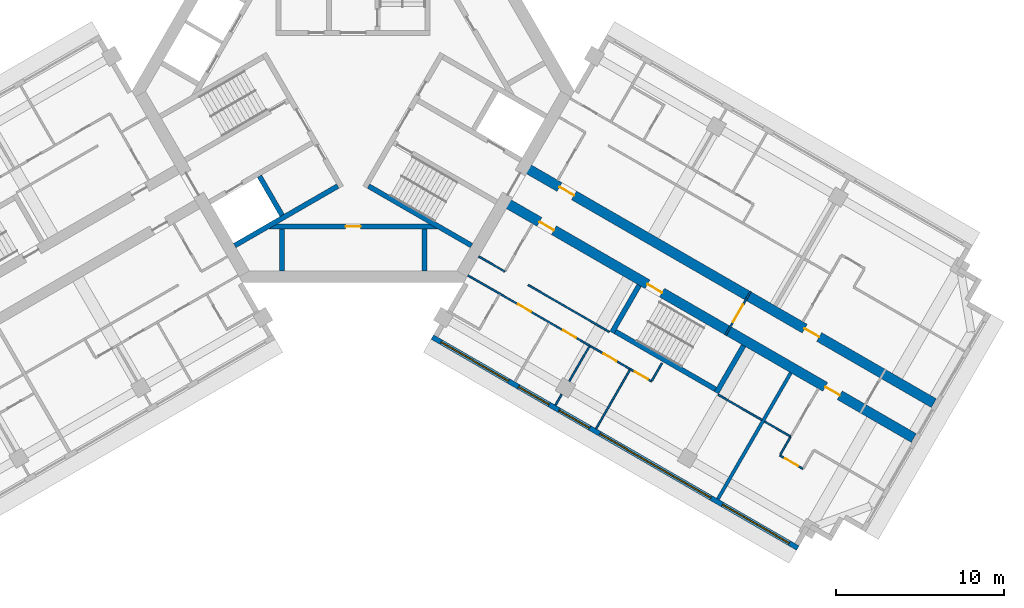
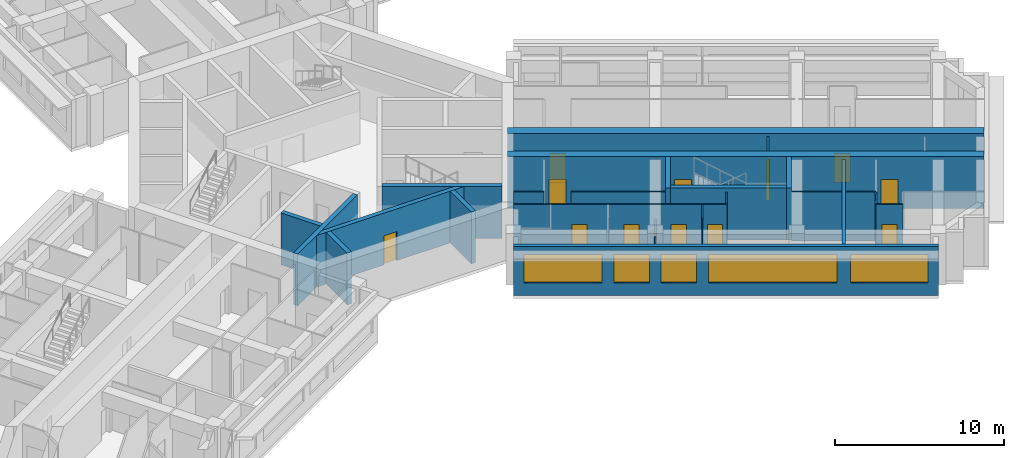
# One storey, part 5 of 11: 25 walls, 12 doors, 5 windows, 17 openings.
"""IFC4 building model written with IfcOpenShell, lengths in metres."""

import ifcopenshell
import ifcopenshell.guid

model = None  # the IFC model being written
_history = None  # IfcOwnerHistory: only IFC2X3 demands one
_inside = {}  # id of a spatial element -> (the spatial element, [elements in it])
_under = {}  # id of a project, library or spatial element -> (it, [spatial elements below it])
_declared = {}  # id of a project -> (the project, [libraries it declares])
_typed = {}  # id of a type object -> (the type object, [elements of that type])
_made_of = {}  # id of a material, layer set ... -> (it, [elements and type objects made of it])


def new_model(schema):
    """Start an empty IFC model of exactly this schema.

    Asked for "IFC4X3", IfcOpenShell would pick the latest addendum, in which some entities
    have other attributes; the version numbers below select the first issue.
    IFC2X3 requires an IfcOwnerHistory on every rooted entity: one is made here for all.
    """
    global model, _history
    if schema == "IFC4X3":
        model = ifcopenshell.file(schema_version=(4, 3, 0, 0))
    else:
        model = ifcopenshell.file(schema=schema)
    _inside.clear()
    _under.clear()
    _declared.clear()
    _typed.clear()
    _made_of.clear()
    _history = None
    if model.schema == "IFC2X3":
        org = make("IfcOrganization", Name="unknown")
        user = make(
            "IfcPersonAndOrganization",
            ThePerson=make("IfcPerson", FamilyName="unknown"),
            TheOrganization=org,
        )
        app = make(
            "IfcApplication",
            ApplicationDeveloper=org,
            Version="unknown",
            ApplicationFullName="unknown",
            ApplicationIdentifier="unknown",
        )
        _history = make(
            "IfcOwnerHistory",
            OwningUser=user,
            OwningApplication=app,
            ChangeAction="ADDED",
            CreationDate=0,
        )
    return model


def make(cls, **values):
    """One entity of the class cls with the attributes given. An attribute that is None is left unset."""
    return model.create_entity(
        cls, **{name: value for name, value in values.items() if value is not None}
    )


def rooted(cls, **values):
    """An entity with a GlobalId (a new one), such as an element, a storey or a relation."""
    return make(cls, GlobalId=ifcopenshell.guid.new(), OwnerHistory=_history, **values)


def si_unit(unit_type, name, prefix=None):
    """IfcSIUnit, for example si_unit("LENGTHUNIT", "METRE", prefix="MILLI")."""
    return make("IfcSIUnit", UnitType=unit_type, Prefix=prefix, Name=name)


def assignment(units):
    """IfcUnitAssignment: the units of a project."""
    return None if units is None else make("IfcUnitAssignment", Units=units)


def point(xyz):
    """IfcCartesianPoint."""
    return None if xyz is None else make("IfcCartesianPoint", Coordinates=xyz)


def direction(xyz):
    """IfcDirection."""
    return None if xyz is None else make("IfcDirection", DirectionRatios=xyz)


def frame(location, z_axis=None, x_axis=None):
    """IfcAxis2Placement3D, a coordinate frame: its origin and axes. An axis left out is left unset."""
    return make(
        "IfcAxis2Placement3D",
        Location=point(location),
        Axis=direction(z_axis),
        RefDirection=direction(x_axis),
    )


def frame_2d(location, x_axis=None):
    """IfcAxis2Placement2D, a coordinate frame in the plane: its origin and x axis."""
    return make(
        "IfcAxis2Placement2D", Location=point(location), RefDirection=direction(x_axis)
    )


def origin():
    """The frame at (0, 0, 0) with its axes left unset."""
    return frame((0.0, 0.0, 0.0))


def place(relative_to, where):
    """IfcLocalPlacement: puts the frame where relative to a parent placement (None: the world)."""
    return make(
        "IfcLocalPlacement", PlacementRelTo=relative_to, RelativePlacement=where
    )


def context(
    kind, dimensions, precision=None, world=None, true_north=None, identifier=None
):
    """IfcGeometricRepresentationContext, for example the 3D "Model" context."""
    return make(
        "IfcGeometricRepresentationContext",
        ContextIdentifier=identifier,
        ContextType=kind,
        CoordinateSpaceDimension=dimensions,
        Precision=precision,
        WorldCoordinateSystem=world,
        TrueNorth=true_north,
    )


def subcontext(parent, identifier, kind, view, scale=None):
    """IfcGeometricRepresentationSubContext, for example "Body" below "Model"."""
    return make(
        "IfcGeometricRepresentationSubContext",
        ContextIdentifier=identifier,
        ContextType=kind,
        ParentContext=parent,
        TargetScale=scale,
        TargetView=view,
    )


def project(units=None, contexts=None):
    """IfcProject with its units and contexts."""
    return rooted(
        "IfcProject",
        Name="project",
        RepresentationContexts=contexts,
        UnitsInContext=assignment(units),
    )


def spatial(cls, under=None, at=None, **own):
    """A site, building, storey or space (cls), placed at a placement, below another one or the project."""
    s = rooted(cls, ObjectPlacement=at, **own)
    if under is not None:
        _under.setdefault(under.id(), (under, []))[1].append(s)
    return s


def profile(cls, at=None, kind="AREA", **sizes):
    """A parametric profile (cls). Its sizes go by their IFC names, for example OverallWidth=200.0."""
    return make(cls, ProfileType=kind, Position=at, **sizes)


def rectangle(**sizes):
    """IfcRectangleProfileDef."""
    return profile("IfcRectangleProfileDef", **sizes)


def extrude(swept, where, along, depth):
    """IfcExtrudedAreaSolid: the profile swept, set in the frame where, extruded along a direction by depth."""
    return make(
        "IfcExtrudedAreaSolid",
        SweptArea=swept,
        Position=where,
        ExtrudedDirection=direction(along),
        Depth=depth,
    )


def shape(context_of_items, identifier, shape_type, items):
    """IfcShapeRepresentation: the items that make up one representation, for example the "Body"."""
    return make(
        "IfcShapeRepresentation",
        ContextOfItems=context_of_items,
        RepresentationIdentifier=identifier,
        RepresentationType=shape_type,
        Items=items,
    )


def material(Name=None, Category=None):
    """IfcMaterial."""
    return make("IfcMaterial", Name=Name, Category=Category)


def layer(
    of_material, thickness, ventilated=None, Name=None, Category=None, Priority=None
):
    """IfcMaterialLayer: one layer of a wall or slab, of a material (None: an air gap)."""
    return make(
        "IfcMaterialLayer",
        Material=of_material,
        LayerThickness=thickness,
        IsVentilated=ventilated,
        Name=Name,
        Category=Category,
        Priority=Priority,
    )


def layer_set(layers, Name=None):
    """IfcMaterialLayerSet."""
    return make("IfcMaterialLayerSet", MaterialLayers=layers, LayerSetName=Name)


def made_of(thing, what):
    """Note that an element or type object is made of a material, layer set ...; save() writes the relation."""
    if what is not None:
        _made_of.setdefault(what.id(), (what, []))[1].append(thing)
    return thing


def type_object(cls, material=None, **own):
    """A type object (cls), such as IfcWallType, which elements share."""
    return made_of(rooted(cls, **own), material)


def element(
    cls,
    number,
    at=None,
    inside=None,
    cuts=None,
    type_object=None,
    material=None,
    context=None,
    identifier="Body",
    shape_type=None,
    held_by="IfcProductDefinitionShape",
    body=None,
    shapes=None,
    **own,
):
    """One element of the class cls, such as IfcWall. Its Tag is "e" and its number.

    at: its placement. inside: the storey or other place that contains it. cuts: it is an
    opening in that element (IfcRelVoidsElement). A single representation is given by context,
    identifier, shape_type and body (its items); several are given by shapes. held_by: the class
    of the entity that holds the representations. save() writes the other relations.
    """
    e = rooted(cls, Tag="e%d" % number, ObjectPlacement=at, **own)
    if body is not None:
        shapes = [shape(context, identifier, shape_type, body)]
    if shapes is not None:
        e.Representation = make(held_by, Representations=shapes)
    if inside is not None:
        _inside.setdefault(inside.id(), (inside, []))[1].append(e)
    if cuts is not None:
        rooted(
            "IfcRelVoidsElement", RelatingBuildingElement=cuts, RelatedOpeningElement=e
        )
    if type_object is not None:
        _typed.setdefault(type_object.id(), (type_object, []))[1].append(e)
    return made_of(e, material)


def fill(opening, filler):
    """IfcRelFillsElement: the door or window that sits in an opening."""
    return rooted(
        "IfcRelFillsElement",
        RelatingOpeningElement=opening,
        RelatedBuildingElement=filler,
    )


def aggregate(whole, parts):
    """IfcRelAggregates: a whole, such as a stair, and the parts it consists of."""
    return rooted("IfcRelAggregates", RelatingObject=whole, RelatedObjects=parts)


def save(model, path):
    """Write the relations noted so far, then the file.

    IfcRelAggregates (storeys below a building ...), IfcRelContainedInSpatialStructure (elements
    in a storey), IfcRelDefinesByType, IfcRelAssociatesMaterial and IfcRelDeclares: one each for
    every whole, place, type object, material and project.
    """
    for whole, parts in _under.values():
        aggregate(whole, parts)
    for where, things in _inside.values():
        rooted(
            "IfcRelContainedInSpatialStructure",
            RelatedElements=things,
            RelatingStructure=where,
        )
    for kind, things in _typed.values():
        rooted("IfcRelDefinesByType", RelatedObjects=things, RelatingType=kind)
    for what, things in _made_of.values():
        rooted("IfcRelAssociatesMaterial", RelatedObjects=things, RelatingMaterial=what)
    for by, libraries in _declared.values():
        rooted("IfcRelDeclares", RelatingContext=by, RelatedDefinitions=libraries)
    model.write(path)


model = new_model("IFC4")

# Units and contexts
model_context = context("Model", 3, precision=1e-05, world=origin(), true_north=direction((0.0, 1.0)))
body_context = subcontext(model_context, "Body", "Model", "MODEL_VIEW")
ifc_project = project(units=[si_unit("LENGTHUNIT", "METRE"), si_unit("AREAUNIT", "SQUARE_METRE"), si_unit("VOLUMEUNIT", "CUBIC_METRE"), si_unit("PLANEANGLEUNIT", "RADIAN"), si_unit("MASSUNIT", "GRAM", prefix="KILO")], contexts=[model_context])

# Site, building, storey
site_placement = place(None, origin())
site = spatial("IfcSite", under=ifc_project, at=site_placement, CompositionType="ELEMENT")
building_placement = place(site_placement, origin())
building = spatial("IfcBuilding", under=site, at=building_placement, Name="Impinga Residences", CompositionType="ELEMENT")
storey_placement = place(building_placement, frame((0.0, 0.0, 207.25)))
storey = spatial("IfcBuildingStorey", under=building, at=storey_placement, Name="L51", CompositionType="ELEMENT", Elevation=207.25)

# Wall, openings, doors
ifc_material_1 = material(Name="Concrete C60/75", Category="concrete")
ifc_layer_1 = layer(ifc_material_1, 0.60009765625)
ifc_layer_set_1 = layer_set([ifc_layer_1], Name="Concrete C60/75")
wall_type_1 = type_object("IfcWallType", Name="BW3 corridor buttress wall, L46 to L73 600", PredefinedType="SHEAR", material=ifc_layer_set_1)
wall_1_placement = place(storey_placement, frame((10.19677734375, -4.50146484375, 0.0), z_axis=(0.0, 0.0, 1.0), x_axis=(0.866026415941, -0.499998246889, 0.0)))
wall_1 = element("IfcWall", 1, at=wall_1_placement, inside=storey, type_object=wall_type_1, Name="Corridor wall BW3 EC L51", PredefinedType="SHEAR", context=body_context, shape_type="SweptSolid", body=[
    extrude(rectangle(XDim=28.25, YDim=0.60009765625, at=frame_2d((14.125, 0.0))), origin(), (0.0, 0.0, 1.0), 3.75),
])
opening_1_placement = place(wall_1_placement, frame((2.449951171875, 0.0, 0.0)))
opening_1 = element("IfcOpeningElement", 2, at=opening_1_placement, cuts=wall_1, Name="Opening D1", PredefinedType="OPENING", context=body_context, shape_type="SweptSolid", body=[
    extrude(rectangle(XDim=1.0, YDim=2.10009765625, at=frame_2d((0.5, 1.050048828125))), frame((0.0, 0.31005859375, 0.0), z_axis=(0.0, -1.0, 0.0), x_axis=(1.0, 0.0, 0.0)), (0.0, 0.0, 1.0), 0.6201171875),
])
opening_2_placement = place(wall_1_placement, frame((19.35009765625, 0.0, 0.0)))
opening_2 = element("IfcOpeningElement", 3, at=opening_2_placement, cuts=wall_1, Name="Opening D1", PredefinedType="OPENING", context=body_context, shape_type="SweptSolid", body=[
    extrude(rectangle(XDim=1.0, YDim=2.10009765625, at=frame_2d((0.5, 1.050048828125))), frame((0.0, 0.31005859375, 0.0), z_axis=(0.0, -1.0, 0.0), x_axis=(1.0, 0.0, 0.0)), (0.0, 0.0, 1.0), 0.6201171875),
])
ifc_material_2 = material(Name="Timber door set", Category="wood")
door_type_1 = type_object("IfcDoorType", Name="D1 apartment entrance door 1000x2100", OperationType="SINGLE_SWING_LEFT", PredefinedType="DOOR", material=ifc_material_2)
door_1_placement = place(opening_1_placement, origin())
door_1 = element("IfcDoor", 4, at=door_1_placement, inside=storey, type_object=door_type_1, Name="Apartment L51-EA1 entrance", OperationType="SINGLE_SWING_LEFT", OverallHeight=2.10009765625, OverallWidth=1.0, PredefinedType="DOOR", context=body_context, shape_type="SweptSolid", body=[
    extrude(rectangle(XDim=1.0, YDim=2.10009765625, at=frame_2d((0.5, 1.050048828125))), frame((0.0, 0.02490234375, 0.0), z_axis=(0.0, -1.0, 0.0), x_axis=(1.0, 0.0, 0.0)), (0.0, 0.0, 1.0), 0.050048828125),
])
fill(opening_1, door_1)
door_2_placement = place(opening_2_placement, origin())
door_2 = element("IfcDoor", 5, at=door_2_placement, inside=storey, type_object=door_type_1, Name="Apartment L51-EA2 entrance", OperationType="SINGLE_SWING_RIGHT", OverallHeight=2.10009765625, OverallWidth=1.0, PredefinedType="DOOR", context=body_context, shape_type="SweptSolid", body=[
    extrude(rectangle(XDim=1.0, YDim=2.10009765625, at=frame_2d((0.5, 1.050048828125))), frame((0.0, 0.02490234375, 0.0), z_axis=(0.0, -1.0, 0.0), x_axis=(1.0, 0.0, 0.0)), (0.0, 0.0, 1.0), 0.050048828125),
])
fill(opening_2, door_2)

wall_2_placement = place(storey_placement, frame((8.996826171875, -6.580078125, 0.0), z_axis=(0.0, 0.0, 1.0), x_axis=(0.866026415941, -0.499998246889, 0.0)))
wall_2 = element("IfcWall", 6, at=wall_2_placement, inside=storey, type_object=wall_type_1, Name="Corridor wall BW3 ED L51", PredefinedType="SHEAR", context=body_context, shape_type="SweptSolid", body=[
    extrude(rectangle(XDim=28.25, YDim=0.60009765625, at=frame_2d((14.125, 0.0))), origin(), (0.0, 0.0, 1.0), 3.75),
])
opening_3_placement = place(wall_2_placement, frame((9.89990234375, 0.0, 0.0)))
opening_3 = element("IfcOpeningElement", 7, at=opening_3_placement, cuts=wall_2, Name="Opening D5", PredefinedType="OPENING", context=body_context, shape_type="SweptSolid", body=[
    extrude(rectangle(XDim=1.0, YDim=2.10009765625, at=frame_2d((0.5, 1.050048828125))), frame((0.0, 0.31005859375, 0.0), z_axis=(0.0, -1.0, 0.0), x_axis=(1.0, 0.0, 0.0)), (0.0, 0.0, 1.0), 0.6201171875),
])
opening_4_placement = place(wall_2_placement, frame((2.449951171875, 0.0, 0.0)))
opening_4 = element("IfcOpeningElement", 8, at=opening_4_placement, cuts=wall_2, Name="Opening D1", PredefinedType="OPENING", context=body_context, shape_type="SweptSolid", body=[
    extrude(rectangle(XDim=1.0, YDim=2.10009765625, at=frame_2d((0.5, 1.050048828125))), frame((0.0, 0.31005859375, 0.0), z_axis=(0.0, -1.0, 0.0), x_axis=(1.0, 0.0, 0.0)), (0.0, 0.0, 1.0), 0.6201171875),
])
opening_5_placement = place(wall_2_placement, frame((22.14990234375, 0.0, 0.0)))
opening_5 = element("IfcOpeningElement", 9, at=opening_5_placement, cuts=wall_2, Name="Opening D1", PredefinedType="OPENING", context=body_context, shape_type="SweptSolid", body=[
    extrude(rectangle(XDim=1.0, YDim=2.10009765625, at=frame_2d((0.5, 1.050048828125))), frame((0.0, 0.31005859375, 0.0), z_axis=(0.0, -1.0, 0.0), x_axis=(1.0, 0.0, 0.0)), (0.0, 0.0, 1.0), 0.6201171875),
])
door_3_placement = place(opening_4_placement, origin())
door_3 = element("IfcDoor", 10, at=door_3_placement, inside=storey, type_object=door_type_1, Name="Apartment L51-EF1 entrance", OperationType="SINGLE_SWING_LEFT", OverallHeight=2.10009765625, OverallWidth=1.0, PredefinedType="DOOR", context=body_context, shape_type="SweptSolid", body=[
    extrude(rectangle(XDim=1.0, YDim=2.10009765625, at=frame_2d((0.5, 1.050048828125))), frame((0.0, 0.02490234375, 0.0), z_axis=(0.0, -1.0, 0.0), x_axis=(1.0, 0.0, 0.0)), (0.0, 0.0, 1.0), 0.050048828125),
])
fill(opening_4, door_3)
door_4_placement = place(opening_5_placement, origin())
door_4 = element("IfcDoor", 11, at=door_4_placement, inside=storey, type_object=door_type_1, Name="Apartment L51-EF2 entrance", OperationType="SINGLE_SWING_RIGHT", OverallHeight=2.10009765625, OverallWidth=1.0, PredefinedType="DOOR", context=body_context, shape_type="SweptSolid", body=[
    extrude(rectangle(XDim=1.0, YDim=2.10009765625, at=frame_2d((0.5, 1.050048828125))), frame((0.0, 0.02490234375, 0.0), z_axis=(0.0, -1.0, 0.0), x_axis=(1.0, 0.0, 0.0)), (0.0, 0.0, 1.0), 0.050048828125),
])
fill(opening_5, door_4)
door_type_2 = type_object("IfcDoorType", Name="D5 stair door 1000x2100", OperationType="SINGLE_SWING_LEFT", PredefinedType="DOOR", material=ifc_material_2)
door_5_placement = place(opening_3_placement, origin())
door_5 = element("IfcDoor", 12, at=door_5_placement, inside=storey, type_object=door_type_2, Name="Wing stair door E", OperationType="SINGLE_SWING_LEFT", OverallHeight=2.10009765625, OverallWidth=1.0, PredefinedType="DOOR", context=body_context, shape_type="SweptSolid", body=[
    extrude(rectangle(XDim=1.0, YDim=2.10009765625, at=frame_2d((0.5, 1.050048828125))), frame((0.0, 0.02490234375, 0.0), z_axis=(0.0, -1.0, 0.0), x_axis=(1.0, 0.0, 0.0)), (0.0, 0.0, 1.0), 0.050048828125),
])
fill(opening_3, door_5)

# Wall, opening, door
ifc_material_3 = material(Name="Concrete blockwork", Category="masonry")
ifc_layer_2 = layer(ifc_material_3, 0.10009765625)
ifc_layer_set_2 = layer_set([ifc_layer_2], Name="CP1 core room partition, blockwork 100")
wall_type_2 = type_object("IfcWallType", Name="CP1 core room partition, blockwork 100", PredefinedType="PARTITIONING", material=ifc_layer_set_2)
wall_3_placement = place(storey_placement, frame((23.724853515625, -11.965576171875, 0.0), z_axis=(0.0, 0.0, 1.0), x_axis=(-0.50002537861, -0.866010750942, 0.0)))
wall_3 = element("IfcWall", 13, at=wall_3_placement, inside=storey, type_object=wall_type_2, Name="Core room partition, blockwork L51:E:SCR", PredefinedType="PARTITIONING", context=body_context, shape_type="SweptSolid", body=[
    extrude(rectangle(XDim=2.999755859375, YDim=0.10009765625, at=frame_2d((1.5, 0.0))), origin(), (0.0, 0.0, 1.0), 3.530029296875),
])
opening_6_placement = place(wall_3_placement, frame((0.89990234375, 0.0, 0.0)))
opening_6 = element("IfcOpeningElement", 14, at=opening_6_placement, cuts=wall_3, Name="Opening D3", PredefinedType="OPENING", context=body_context, shape_type="SweptSolid", body=[
    extrude(rectangle(XDim=1.199951171875, YDim=2.10009765625, at=frame_2d((0.60009765625, 1.050048828125))), frame((0.0, 0.06005859375, 0.0), z_axis=(0.0, -1.0, 0.0), x_axis=(1.0, 0.0, 0.0)), (0.0, 0.0, 1.0), 0.1201171875),
])
door_type_3 = type_object("IfcDoorType", Name="D3 room door, leaf and a half 1200x2100", OperationType="DOUBLE_SWING_LEFT", PredefinedType="DOOR", material=ifc_material_2)
door_6_placement = place(opening_6_placement, origin())
door_6 = element("IfcDoor", 15, at=door_6_placement, inside=storey, type_object=door_type_3, Name="Corridor smoke door E", OperationType="DOUBLE_SWING_LEFT", OverallHeight=2.10009765625, OverallWidth=1.199951171875, PredefinedType="DOOR", context=body_context, shape_type="SweptSolid", body=[
    extrude(rectangle(XDim=1.199951171875, YDim=2.10009765625, at=frame_2d((0.60009765625, 1.050048828125))), frame((0.0, 0.02490234375, 0.0), z_axis=(0.0, -1.0, 0.0), x_axis=(1.0, 0.0, 0.0)), (0.0, 0.0, 1.0), 0.050048828125),
])
fill(opening_6, door_6)

# Wall, openings, windows
ifc_material_4 = material(Name="Terracotta rainscreen on blockwork", Category="masonry")
ifc_layer_3 = layer(ifc_material_4, 0.300048828125)
ifc_layer_set_3 = layer_set([ifc_layer_3], Name="EW1 external wall, terracotta rainscreen on blockwork 300")
wall_type_3 = type_object("IfcWallType", Name="EW1 external wall, terracotta rainscreen on blockwork 300", PredefinedType="SOLIDWALL", material=ifc_layer_set_3)
wall_4_placement = place(storey_placement, frame((26.548828125, -27.279052734375, 0.0), z_axis=(0.0, 0.0, 1.0), x_axis=(-0.866026832479, 0.499997525421, 0.0)))
wall_4 = element("IfcWall", 16, at=wall_4_placement, inside=storey, type_object=wall_type_3, Name="External wall EW1 L51", PredefinedType="SOLIDWALL", context=body_context, shape_type="SweptSolid", body=[
    extrude(rectangle(XDim=25.199951171875, YDim=0.300048828125, at=frame_2d((12.60009765625, 0.0))), origin(), (0.0, 0.0, 1.0), 3.530029296875),
])
opening_7_placement = place(wall_4_placement, frame((0.60009765625, 0.0, 0.89990234375)))
opening_7 = element("IfcOpeningElement", 17, at=opening_7_placement, cuts=wall_4, Name="Opening W3", PredefinedType="OPENING", context=body_context, shape_type="SweptSolid", body=[
    extrude(rectangle(XDim=4.60009765625, YDim=2.050048828125, at=frame_2d((2.300048828125, 1.02490234375))), frame((0.0, 0.159912109375, 0.0), z_axis=(0.0, -1.0, 0.0), x_axis=(1.0, 0.0, 0.0)), (0.0, 0.0, 1.0), 0.320068359375),
])
opening_8_placement = place(wall_4_placement, frame((6.0, 0.0, 0.89990234375)))
opening_8 = element("IfcOpeningElement", 18, at=opening_8_placement, cuts=wall_4, Name="Opening W13", PredefinedType="OPENING", context=body_context, shape_type="SweptSolid", body=[
    extrude(rectangle(XDim=7.64990234375, YDim=2.050048828125, at=frame_2d((3.824951171875, 1.02490234375))), frame((0.0, 0.159912109375, 0.0), z_axis=(0.0, -1.0, 0.0), x_axis=(1.0, 0.0, 0.0)), (0.0, 0.0, 1.0), 0.320068359375),
])
opening_9_placement = place(wall_4_placement, frame((14.35009765625, 0.0, 0.89990234375)))
opening_9 = element("IfcOpeningElement", 19, at=opening_9_placement, cuts=wall_4, Name="Opening W9", PredefinedType="OPENING", context=body_context, shape_type="SweptSolid", body=[
    extrude(rectangle(XDim=2.10009765625, YDim=2.050048828125, at=frame_2d((1.050048828125, 1.02490234375))), frame((0.0, 0.159912109375, 0.0), z_axis=(0.0, -1.0, 0.0), x_axis=(1.0, 0.0, 0.0)), (0.0, 0.0, 1.0), 0.320068359375),
])
opening_10_placement = place(wall_4_placement, frame((17.14990234375, 0.0, 0.89990234375)))
opening_10 = element("IfcOpeningElement", 20, at=opening_10_placement, cuts=wall_4, Name="Opening W9", PredefinedType="OPENING", context=body_context, shape_type="SweptSolid", body=[
    extrude(rectangle(XDim=2.10009765625, YDim=2.050048828125, at=frame_2d((1.050048828125, 1.02490234375))), frame((0.0, 0.159912109375, 0.0), z_axis=(0.0, -1.0, 0.0), x_axis=(1.0, 0.0, 0.0)), (0.0, 0.0, 1.0), 0.320068359375),
])
opening_11_placement = place(wall_4_placement, frame((19.949951171875, 0.0, 0.89990234375)))
opening_11 = element("IfcOpeningElement", 21, at=opening_11_placement, cuts=wall_4, Name="Opening W10", PredefinedType="OPENING", context=body_context, shape_type="SweptSolid", body=[
    extrude(rectangle(XDim=4.64990234375, YDim=2.050048828125, at=frame_2d((2.324951171875, 1.02490234375))), frame((0.0, 0.159912109375, 0.0), z_axis=(0.0, -1.0, 0.0), x_axis=(1.0, 0.0, 0.0)), (0.0, 0.0, 1.0), 0.320068359375),
])
ifc_material_5 = material(Name="Aluminium window, clear double glazing", Category="aluminium")
window_type_1 = type_object("IfcWindowType", Name="W10 ribbon window 4650x2050", PartitioningType="SINGLE_PANEL", PredefinedType="WINDOW", material=ifc_material_5)
window_1_placement = place(opening_11_placement, origin())
window_1 = element("IfcWindow", 22, at=window_1_placement, inside=storey, type_object=window_type_1, Name="Window L51", OverallHeight=2.050048828125, OverallWidth=4.64990234375, PartitioningType="SINGLE_PANEL", PredefinedType="WINDOW", context=body_context, shape_type="SweptSolid", body=[
    extrude(rectangle(XDim=4.64990234375, YDim=2.050048828125, at=frame_2d((2.324951171875, 1.02490234375))), frame((0.0, 0.030029296875, 0.0), z_axis=(0.0, -1.0, 0.0), x_axis=(1.0, 0.0, 0.0)), (0.0, 0.0, 1.0), 0.06005859375),
])
fill(opening_11, window_1)
window_type_2 = type_object("IfcWindowType", Name="W13 ribbon window 7650x2050", PartitioningType="SINGLE_PANEL", PredefinedType="WINDOW", material=ifc_material_5)
window_2_placement = place(opening_8_placement, origin())
window_2 = element("IfcWindow", 23, at=window_2_placement, inside=storey, type_object=window_type_2, Name="Window L51", OverallHeight=2.050048828125, OverallWidth=7.64990234375, PartitioningType="SINGLE_PANEL", PredefinedType="WINDOW", context=body_context, shape_type="SweptSolid", body=[
    extrude(rectangle(XDim=7.64990234375, YDim=2.050048828125, at=frame_2d((3.824951171875, 1.02490234375))), frame((0.0, 0.030029296875, 0.0), z_axis=(0.0, -1.0, 0.0), x_axis=(1.0, 0.0, 0.0)), (0.0, 0.0, 1.0), 0.06005859375),
])
fill(opening_8, window_2)
window_type_3 = type_object("IfcWindowType", Name="W3 ribbon window 4600x2050", PartitioningType="SINGLE_PANEL", PredefinedType="WINDOW", material=ifc_material_5)
window_3_placement = place(opening_7_placement, origin())
window_3 = element("IfcWindow", 24, at=window_3_placement, inside=storey, type_object=window_type_3, Name="Window L51", OverallHeight=2.050048828125, OverallWidth=4.60009765625, PartitioningType="SINGLE_PANEL", PredefinedType="WINDOW", context=body_context, shape_type="SweptSolid", body=[
    extrude(rectangle(XDim=4.60009765625, YDim=2.050048828125, at=frame_2d((2.300048828125, 1.02490234375))), frame((0.0, 0.030029296875, 0.0), z_axis=(0.0, -1.0, 0.0), x_axis=(1.0, 0.0, 0.0)), (0.0, 0.0, 1.0), 0.06005859375),
])
fill(opening_7, window_3)
window_type_4 = type_object("IfcWindowType", Name="W9 ribbon window 2100x2050", PartitioningType="SINGLE_PANEL", PredefinedType="WINDOW", material=ifc_material_5)
window_4_placement = place(opening_9_placement, origin())
window_4 = element("IfcWindow", 25, at=window_4_placement, inside=storey, type_object=window_type_4, Name="Window L51", OverallHeight=2.050048828125, OverallWidth=2.10009765625, PartitioningType="SINGLE_PANEL", PredefinedType="WINDOW", context=body_context, shape_type="SweptSolid", body=[
    extrude(rectangle(XDim=2.10009765625, YDim=2.050048828125, at=frame_2d((1.050048828125, 1.02490234375))), frame((0.0, 0.030029296875, 0.0), z_axis=(0.0, -1.0, 0.0), x_axis=(1.0, 0.0, 0.0)), (0.0, 0.0, 1.0), 0.06005859375),
])
fill(opening_9, window_4)
window_5_placement = place(opening_10_placement, origin())
window_5 = element("IfcWindow", 26, at=window_5_placement, inside=storey, type_object=window_type_4, Name="Window L51", OverallHeight=2.050048828125, OverallWidth=2.10009765625, PartitioningType="SINGLE_PANEL", PredefinedType="WINDOW", context=body_context, shape_type="SweptSolid", body=[
    extrude(rectangle(XDim=2.10009765625, YDim=2.050048828125, at=frame_2d((1.050048828125, 1.02490234375))), frame((0.0, 0.030029296875, 0.0), z_axis=(0.0, -1.0, 0.0), x_axis=(1.0, 0.0, 0.0)), (0.0, 0.0, 1.0), 0.06005859375),
])
fill(opening_10, window_5)

# Walls
ifc_material_6 = material(Name="Gypsum board on steel studs", Category="steel")
ifc_layer_4 = layer(ifc_material_6, 0.10009765625)
ifc_layer_set_4 = layer_set([ifc_layer_4], Name="Gypsum board on steel studs")
wall_type_4 = type_object("IfcWallType", Name="IP1 partition 100", PredefinedType="PARTITIONING", material=ifc_layer_set_4)
wall_5_placement = place(storey_placement, frame((7.5, -9.872802734375, 0.0), z_axis=(0.0, 0.0, 1.0), x_axis=(0.866047807691, -0.499961193289, 0.0)))
element("IfcWall", 27, at=wall_5_placement, inside=storey, type_object=wall_type_4, Name="Partition L51-EF1:DIV0", PredefinedType="PARTITIONING", context=body_context, shape_type="SweptSolid", body=[
    extrude(rectangle(XDim=1.800048828125, YDim=0.10009765625, at=frame_2d((0.89990234375, 0.0))), origin(), (0.0, 0.0, 1.0), 3.530029296875),
])
wall_6_placement = place(storey_placement, frame((10.444580078125, -11.57275390625, 0.0), z_axis=(0.0, 0.0, 1.0), x_axis=(0.866015695474, -0.500016814911, 0.0)))
element("IfcWall", 28, at=wall_6_placement, inside=storey, type_object=wall_type_4, Name="Partition L51-EF1:DIV1", PredefinedType="PARTITIONING", context=body_context, shape_type="SweptSolid", body=[
    extrude(rectangle(XDim=5.599853515625, YDim=0.10009765625, at=frame_2d((2.7998046875, 0.0))), origin(), (0.0, 0.0, 1.0), 3.530029296875),
])
wall_7_placement = place(storey_placement, frame((21.789306640625, -18.122802734375, 0.0), z_axis=(0.0, 0.0, 1.0), x_axis=(0.866031096941, -0.499990139034, 0.0)))
element("IfcWall", 29, at=wall_7_placement, inside=storey, type_object=wall_type_4, Name="Partition L51-EF1:DIV2", PredefinedType="PARTITIONING", context=body_context, shape_type="SweptSolid", body=[
    extrude(rectangle(XDim=3.0, YDim=0.10009765625, at=frame_2d((1.5, 0.0))), origin(), (0.0, 0.0, 1.0), 3.530029296875),
])

# Wall, openings, doors
wall_8_placement = place(storey_placement, frame((6.85009765625, -10.99853515625, 0.0), z_axis=(0.0, 0.0, 1.0), x_axis=(0.866024244478, -0.500002007972, 0.0)))
wall_8 = element("IfcWall", 30, at=wall_8_placement, inside=storey, type_object=wall_type_4, Name="Partition L51-EF1:STRIP", PredefinedType="PARTITIONING", context=body_context, shape_type="SweptSolid", body=[
    extrude(rectangle(XDim=12.64990234375, YDim=0.10009765625, at=frame_2d((6.324951171875, 0.0))), origin(), (0.0, 0.0, 1.0), 3.530029296875),
])
opening_12_placement = place(wall_8_placement, frame((3.449951171875, 0.0, 0.0)))
opening_12 = element("IfcOpeningElement", 31, at=opening_12_placement, cuts=wall_8, Name="Opening D2", PredefinedType="OPENING", context=body_context, shape_type="SweptSolid", body=[
    extrude(rectangle(XDim=0.89990234375, YDim=2.10009765625, at=frame_2d((0.449951171875, 1.050048828125))), frame((0.0, 0.06005859375, 0.0), z_axis=(0.0, -1.0, 0.0), x_axis=(1.0, 0.0, 0.0)), (0.0, 0.0, 1.0), 0.1201171875),
])
opening_13_placement = place(wall_8_placement, frame((6.550048828125, 0.0, 0.0)))
opening_13 = element("IfcOpeningElement", 32, at=opening_13_placement, cuts=wall_8, Name="Opening D2", PredefinedType="OPENING", context=body_context, shape_type="SweptSolid", body=[
    extrude(rectangle(XDim=0.89990234375, YDim=2.10009765625, at=frame_2d((0.449951171875, 1.050048828125))), frame((0.0, 0.06005859375, 0.0), z_axis=(0.0, -1.0, 0.0), x_axis=(1.0, 0.0, 0.0)), (0.0, 0.0, 1.0), 0.1201171875),
])
opening_14_placement = place(wall_8_placement, frame((9.35009765625, 0.0, 0.0)))
opening_14 = element("IfcOpeningElement", 33, at=opening_14_placement, cuts=wall_8, Name="Opening D2", PredefinedType="OPENING", context=body_context, shape_type="SweptSolid", body=[
    extrude(rectangle(XDim=0.89990234375, YDim=2.10009765625, at=frame_2d((0.449951171875, 1.050048828125))), frame((0.0, 0.06005859375, 0.0), z_axis=(0.0, -1.0, 0.0), x_axis=(1.0, 0.0, 0.0)), (0.0, 0.0, 1.0), 0.1201171875),
])
opening_15_placement = place(wall_8_placement, frame((11.5, 0.0, 0.0)))
opening_15 = element("IfcOpeningElement", 34, at=opening_15_placement, cuts=wall_8, Name="Opening D2", PredefinedType="OPENING", context=body_context, shape_type="SweptSolid", body=[
    extrude(rectangle(XDim=0.89990234375, YDim=2.10009765625, at=frame_2d((0.449951171875, 1.050048828125))), frame((0.0, 0.06005859375, 0.0), z_axis=(0.0, -1.0, 0.0), x_axis=(1.0, 0.0, 0.0)), (0.0, 0.0, 1.0), 0.1201171875),
])
door_type_4 = type_object("IfcDoorType", Name="D2 internal door 900x2100", OperationType="SINGLE_SWING_LEFT", PredefinedType="DOOR", material=ifc_material_2)
door_7_placement = place(opening_12_placement, origin())
door_7 = element("IfcDoor", 35, at=door_7_placement, inside=storey, type_object=door_type_4, Name="Apartment L51-EF1 room door", OperationType="SINGLE_SWING_LEFT", OverallHeight=2.10009765625, OverallWidth=0.89990234375, PredefinedType="DOOR", context=body_context, shape_type="SweptSolid", body=[
    extrude(rectangle(XDim=0.89990234375, YDim=2.10009765625, at=frame_2d((0.449951171875, 1.050048828125))), frame((0.0, 0.02490234375, 0.0), z_axis=(0.0, -1.0, 0.0), x_axis=(1.0, 0.0, 0.0)), (0.0, 0.0, 1.0), 0.050048828125),
])
fill(opening_12, door_7)
door_8_placement = place(opening_13_placement, origin())
door_8 = element("IfcDoor", 36, at=door_8_placement, inside=storey, type_object=door_type_4, Name="Apartment L51-EF1 room door", OperationType="SINGLE_SWING_RIGHT", OverallHeight=2.10009765625, OverallWidth=0.89990234375, PredefinedType="DOOR", context=body_context, shape_type="SweptSolid", body=[
    extrude(rectangle(XDim=0.89990234375, YDim=2.10009765625, at=frame_2d((0.449951171875, 1.050048828125))), frame((0.0, 0.02490234375, 0.0), z_axis=(0.0, -1.0, 0.0), x_axis=(1.0, 0.0, 0.0)), (0.0, 0.0, 1.0), 0.050048828125),
])
fill(opening_13, door_8)
door_9_placement = place(opening_14_placement, origin())
door_9 = element("IfcDoor", 37, at=door_9_placement, inside=storey, type_object=door_type_4, Name="Apartment L51-EF1 room door", OperationType="SINGLE_SWING_RIGHT", OverallHeight=2.10009765625, OverallWidth=0.89990234375, PredefinedType="DOOR", context=body_context, shape_type="SweptSolid", body=[
    extrude(rectangle(XDim=0.89990234375, YDim=2.10009765625, at=frame_2d((0.449951171875, 1.050048828125))), frame((0.0, 0.02490234375, 0.0), z_axis=(0.0, -1.0, 0.0), x_axis=(1.0, 0.0, 0.0)), (0.0, 0.0, 1.0), 0.050048828125),
])
fill(opening_14, door_9)
door_10_placement = place(opening_15_placement, origin())
door_10 = element("IfcDoor", 38, at=door_10_placement, inside=storey, type_object=door_type_4, Name="Apartment L51-EF1 room door", OperationType="SINGLE_SWING_RIGHT", OverallHeight=2.10009765625, OverallWidth=0.89990234375, PredefinedType="DOOR", context=body_context, shape_type="SweptSolid", body=[
    extrude(rectangle(XDim=0.89990234375, YDim=2.10009765625, at=frame_2d((0.449951171875, 1.050048828125))), frame((0.0, 0.02490234375, 0.0), z_axis=(0.0, -1.0, 0.0), x_axis=(1.0, 0.0, 0.0)), (0.0, 0.0, 1.0), 0.050048828125),
])
fill(opening_15, door_10)

# Walls
wall_9_placement = place(storey_placement, frame((18.43017578125, -16.240966796875, 0.0), z_axis=(0.0, 0.0, 1.0), x_axis=(-0.499880961361, -0.866094119867, 0.0)))
element("IfcWall", 39, at=wall_9_placement, inside=storey, type_object=wall_type_4, Name="Partition L51-EF1:SE1", PredefinedType="PARTITIONING", context=body_context, shape_type="SweptSolid", body=[
    extrude(rectangle(XDim=1.199951171875, YDim=0.10009765625, at=frame_2d((0.60009765625, 0.0))), origin(), (0.0, 0.0, 1.0), 3.530029296875),
])
wall_10_placement = place(storey_placement, frame((14.099609375, -15.241943359375, 0.0), z_axis=(0.0, 0.0, 1.0), x_axis=(-0.500001309137, -0.866024647952, 0.0)))
element("IfcWall", 40, at=wall_10_placement, inside=storey, type_object=wall_type_4, Name="Partition L51-EF1:OB2", PredefinedType="PARTITIONING", context=body_context, shape_type="SweptSolid", body=[
    extrude(rectangle(XDim=2.39990234375, YDim=0.10009765625, at=frame_2d((1.199951171875, 0.0))), origin(), (0.0, 0.0, 1.0), 2.47998046875),
])
wall_11_placement = place(storey_placement, frame((12.44970703125, -18.099609375, 0.0), z_axis=(0.0, 0.0, 1.0), x_axis=(-0.499919672301, -0.866071776036, 0.0)))
element("IfcWall", 41, at=wall_11_placement, inside=storey, type_object=wall_type_4, Name="Partition L51-EF1:OB2b", PredefinedType="PARTITIONING", context=body_context, shape_type="SweptSolid", body=[
    extrude(rectangle(XDim=0.75, YDim=0.10009765625, at=frame_2d((0.375, 0.0))), origin(), (0.0, 0.0, 1.0), 3.530029296875),
])
wall_12_placement = place(storey_placement, frame((16.5244140625, -16.641845703125, 0.0), z_axis=(0.0, 0.0, 1.0), x_axis=(-0.499990325971, -0.866030989016, 0.0)))
element("IfcWall", 42, at=wall_12_placement, inside=storey, type_object=wall_type_4, Name="Partition L51-EF1:OB3", PredefinedType="PARTITIONING", context=body_context, shape_type="SweptSolid", body=[
    extrude(rectangle(XDim=4.0498046875, YDim=0.10009765625, at=frame_2d((2.02490234375, 0.0))), origin(), (0.0, 0.0, 1.0), 3.530029296875),
])
wall_13_placement = place(storey_placement, frame((24.560791015625, -19.72265625, 0.0), z_axis=(0.0, 0.0, 1.0), x_axis=(0.865989075817, -0.500062916607, 0.0)))
element("IfcWall", 43, at=wall_13_placement, inside=storey, type_object=wall_type_4, Name="Partition L51-EF2:DIV0", PredefinedType="PARTITIONING", context=body_context, shape_type="SweptSolid", body=[
    extrude(rectangle(XDim=1.800048828125, YDim=0.10009765625, at=frame_2d((0.89990234375, 0.0))), origin(), (0.0, 0.0, 1.0), 3.530029296875),
])

# Wall, opening, door
wall_14_placement = place(storey_placement, frame((25.469482421875, -21.74853515625, 0.0), z_axis=(0.0, 0.0, 1.0), x_axis=(0.866028054938, -0.499995408039, 0.0)))
wall_14 = element("IfcWall", 44, at=wall_14_placement, inside=storey, type_object=wall_type_4, Name="Partition L51-EF2:STRIP", PredefinedType="PARTITIONING", context=body_context, shape_type="SweptSolid", body=[
    extrude(rectangle(XDim=1.60009765625, YDim=0.10009765625, at=frame_2d((0.800048828125, 0.0))), origin(), (0.0, 0.0, 1.0), 3.530029296875),
])
opening_16_placement = place(wall_14_placement, frame((0.35009765625, 0.0, 0.0)))
opening_16 = element("IfcOpeningElement", 45, at=opening_16_placement, cuts=wall_14, Name="Opening D2", PredefinedType="OPENING", context=body_context, shape_type="SweptSolid", body=[
    extrude(rectangle(XDim=0.89990234375, YDim=2.10009765625, at=frame_2d((0.449951171875, 1.050048828125))), frame((0.0, 0.06005859375, 0.0), z_axis=(0.0, -1.0, 0.0), x_axis=(1.0, 0.0, 0.0)), (0.0, 0.0, 1.0), 0.1201171875),
])
door_11_placement = place(opening_16_placement, origin())
door_11 = element("IfcDoor", 46, at=door_11_placement, inside=storey, type_object=door_type_4, Name="Apartment L51-EF2 room door", OperationType="SINGLE_SWING_LEFT", OverallHeight=2.10009765625, OverallWidth=0.89990234375, PredefinedType="DOOR", context=body_context, shape_type="SweptSolid", body=[
    extrude(rectangle(XDim=0.89990234375, YDim=2.10009765625, at=frame_2d((0.449951171875, 1.050048828125))), frame((0.0, 0.02490234375, 0.0), z_axis=(0.0, -1.0, 0.0), x_axis=(1.0, 0.0, 0.0)), (0.0, 0.0, 1.0), 0.050048828125),
])
fill(opening_16, door_11)

# Walls
wall_15_placement = place(storey_placement, frame((26.094482421875, -20.666015625, 0.0), z_axis=(0.0, 0.0, 1.0), x_axis=(-0.499880961361, -0.866094119867, 0.0)))
element("IfcWall", 47, at=wall_15_placement, inside=storey, type_object=wall_type_4, Name="Partition L51-EF2:SE0", PredefinedType="PARTITIONING", context=body_context, shape_type="SweptSolid", body=[
    extrude(rectangle(XDim=1.199951171875, YDim=0.10009765625, at=frame_2d((0.60009765625, 0.0))), origin(), (0.0, 0.0, 1.0), 3.530029296875),
])
ifc_layer_5 = layer(ifc_material_3, 0.199951171875)
ifc_layer_set_5 = layer_set([ifc_layer_5], Name="PW1 party wall between apartments 200")
wall_type_5 = type_object("IfcWallType", Name="PW1 party wall between apartments 200", PredefinedType="SOLIDWALL", material=ifc_layer_set_5)
wall_16_placement = place(storey_placement, frame((26.1240234375, -16.814697265625, 0.0), z_axis=(0.0, 0.0, 1.0), x_axis=(-0.499987231761, -0.866032775405, 0.0)))
element("IfcWall", 48, at=wall_16_placement, inside=storey, type_object=wall_type_5, Name="Party wall between apartments L51-EF1:PARTY", PredefinedType="SOLIDWALL", context=body_context, shape_type="SweptSolid", body=[
    extrude(rectangle(XDim=8.699951171875, YDim=0.199951171875, at=frame_2d((4.35009765625, 0.0))), origin(), (0.0, 0.0, 1.0), 3.530029296875),
])
ifc_layer_6 = layer(ifc_material_1, 0.300048828125)
ifc_layer_set_6 = layer_set([ifc_layer_6], Name="Concrete C60/75")
wall_type_6 = type_object("IfcWallType", Name="SE1 wing stair enclosure wall 300", PredefinedType="SOLIDWALL", material=ifc_layer_set_6)
for number, where, z_axis, x_axis, name in (
    (49, (17.07421875, -11.58984375, 0.0), (0.0, 0.0, 1.0), (-0.500017246033, -0.866015446554, 0.0), "Stair enclosure wall SE1 E END0 L51"),
    (50, (23.3095703125, -15.189697265625, 0.0), (0.0, 0.0, 1.0), (-0.499984717929, -0.866034226713, 0.0), "Stair enclosure wall SE1 E END1 L51"),
):
    element("IfcWall", number, at=place(storey_placement, frame(where, z_axis=z_axis, x_axis=x_axis)), inside=storey, type_object=wall_type_6, Name=name, PredefinedType="SOLIDWALL", context=body_context, shape_type="SweptSolid", body=[
        extrude(rectangle(XDim=3.25, YDim=0.300048828125, at=frame_2d((1.625, 0.0))), origin(), (0.0, 0.0, 1.0), 3.75),
    ])
wall_17_placement = place(storey_placement, frame((15.654052734375, -14.349365234375, 0.0), z_axis=(0.0, 0.0, 1.0), x_axis=(0.866013532718, -0.500020560727, 0.0)))
element("IfcWall", 51, at=wall_17_placement, inside=storey, type_object=wall_type_6, Name="Stair enclosure wall SE1 E OUT L51", PredefinedType="SOLIDWALL", context=body_context, shape_type="SweptSolid", body=[
    extrude(rectangle(XDim=6.900146484375, YDim=0.300048828125, at=frame_2d((3.4501953125, 0.0))), origin(), (0.0, 0.0, 1.0), 3.75),
])
ifc_material_7 = material(Name="Concrete C70/85", Category="concrete")
ifc_layer_7 = layer(ifc_material_7, 0.300048828125)
ifc_layer_set_7 = layer_set([ifc_layer_7], Name="Concrete C70/85")
wall_type_7 = type_object("IfcWallType", Name="SW5 core inner wall, stairs, shafts and lobbies 300", PredefinedType="SHEAR", material=ifc_layer_set_7)
wall_18_placement = place(storey_placement, frame((-0.918701171875, -5.668701171875, 0.0), z_axis=(0.0, 0.0, 1.0), x_axis=(-0.866025859768, -0.499999210213, 0.0)))
element("IfcWall", 52, at=wall_18_placement, inside=storey, type_object=wall_type_7, Name="Core wall SW5 W:FF-OUT L51", PredefinedType="SHEAR", context=body_context, shape_type="SweptSolid", body=[
    extrude(rectangle(XDim=7.1015625, YDim=0.300048828125, at=frame_2d((3.55078125, 0.0))), origin(), (0.0, 0.0, 1.0), 3.75),
])
wall_19_placement = place(storey_placement, frame((-4.2412109375, -7.413818359375, 0.0), z_axis=(0.0, 0.0, 1.0), x_axis=(-0.500048589285, 0.86599734893, 0.0)))
element("IfcWall", 53, at=wall_19_placement, inside=storey, type_object=wall_type_7, Name="Core wall SW5 W:FF-RS L51", PredefinedType="SHEAR", context=body_context, shape_type="SweptSolid", body=[
    extrude(rectangle(XDim=2.699951171875, YDim=0.300048828125, at=frame_2d((1.35009765625, 0.0))), origin(), (0.0, 0.0, 1.0), 3.75),
])
wall_20_placement = place(storey_placement, frame((0.918701171875, -5.668701171875, 0.0), z_axis=(0.0, 0.0, 1.0), x_axis=(0.866025859768, -0.499999210213, 0.0)))
element("IfcWall", 54, at=wall_20_placement, inside=storey, type_object=wall_type_7, Name="Core wall SW5 E:ST-OUT L51", PredefinedType="SHEAR", context=body_context, shape_type="SweptSolid", body=[
    extrude(rectangle(XDim=7.1015625, YDim=0.300048828125, at=frame_2d((3.55078125, 0.0))), origin(), (0.0, 0.0, 1.0), 3.75),
])

# Wall, opening, door
wall_21_placement = place(storey_placement, frame((5.09765625, -8.08154296875, 0.0), z_axis=(0.0, 0.0, 1.0), x_axis=(-1.0, 0.0, 0.0)))
wall_21 = element("IfcWall", 55, at=wall_21_placement, inside=storey, type_object=wall_type_7, Name="Core wall SW5 N:BANK-FRONT L51", PredefinedType="SHEAR", context=body_context, shape_type="SweptSolid", body=[
    extrude(rectangle(XDim=10.1953125, YDim=0.300048828125, at=frame_2d((5.09765625, 0.0))), origin(), (0.0, 0.0, 1.0), 3.75),
])
opening_17_placement = place(wall_21_placement, frame((4.647705078125, 0.0, 0.0)))
opening_17 = element("IfcOpeningElement", 56, at=opening_17_placement, cuts=wall_21, Name="Opening D6", PredefinedType="OPENING", context=body_context, shape_type="SweptSolid", body=[
    extrude(rectangle(XDim=0.89990234375, YDim=2.10009765625, at=frame_2d((0.449951171875, 1.050048828125))), frame((0.0, 0.159912109375, 0.0), z_axis=(0.0, -1.0, 0.0), x_axis=(1.0, 0.0, 0.0)), (0.0, 0.0, 1.0), 0.320068359375),
])
door_type_5 = type_object("IfcDoorType", Name="D6 riser and store door 900x2100", OperationType="SINGLE_SWING_LEFT", PredefinedType="DOOR", material=ifc_material_2)
door_12_placement = place(opening_17_placement, origin())
door_12 = element("IfcDoor", 57, at=door_12_placement, inside=storey, type_object=door_type_5, Name="IT and communications room door", OperationType="SINGLE_SWING_LEFT", OverallHeight=2.10009765625, OverallWidth=0.89990234375, PredefinedType="DOOR", context=body_context, shape_type="SweptSolid", body=[
    extrude(rectangle(XDim=0.89990234375, YDim=2.10009765625, at=frame_2d((0.449951171875, 1.050048828125))), frame((0.0, 0.02490234375, 0.0), z_axis=(0.0, -1.0, 0.0), x_axis=(1.0, 0.0, 0.0)), (0.0, 0.0, 1.0), 0.050048828125),
])
fill(opening_17, door_12)

# Walls
for number, where, z_axis, x_axis, name in (
    (58, (4.25, -8.2314453125, 0.0), (0.0, 0.0, 1.0), (0.0, -1.0, 0.0), "Core wall SW5 N:BANK-L L51"),
    (59, (-4.25, -8.2314453125, 0.0), (0.0, 0.0, 1.0), (0.0, -1.0, 0.0), "Core wall SW5 N:BANK-R L51"),
):
    element("IfcWall", number, at=place(storey_placement, frame(where, z_axis=z_axis, x_axis=x_axis)), inside=storey, type_object=wall_type_7, Name=name, PredefinedType="SHEAR", context=body_context, shape_type="SweptSolid", body=[
        extrude(rectangle(XDim=2.5, YDim=0.300048828125, at=frame_2d((1.25, 0.0))), origin(), (0.0, 0.0, 1.0), 3.75),
    ])

save(model, "model.ifc")
